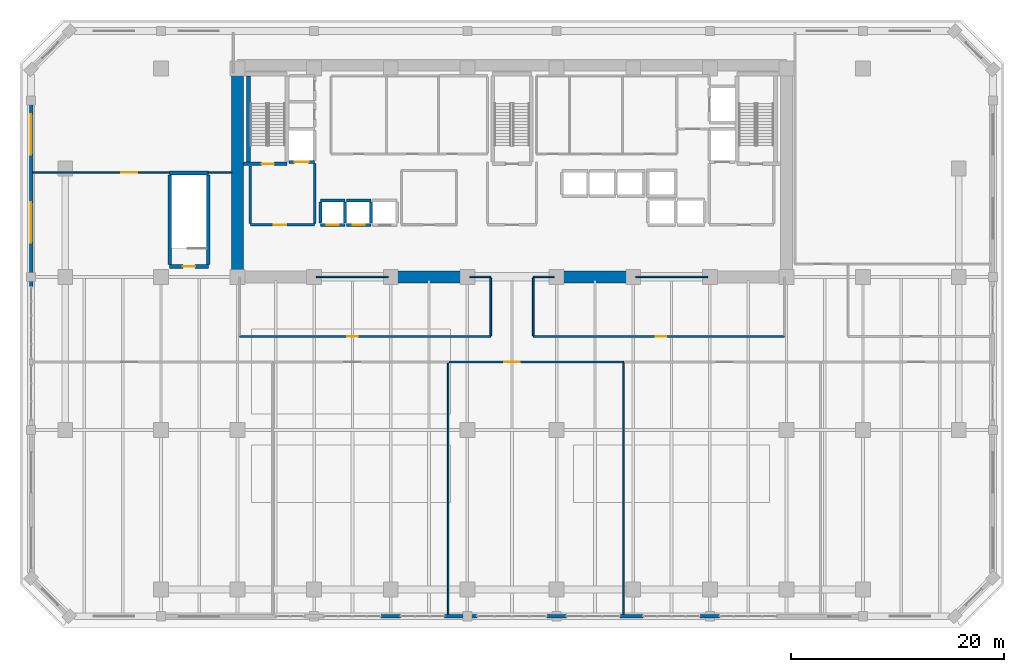
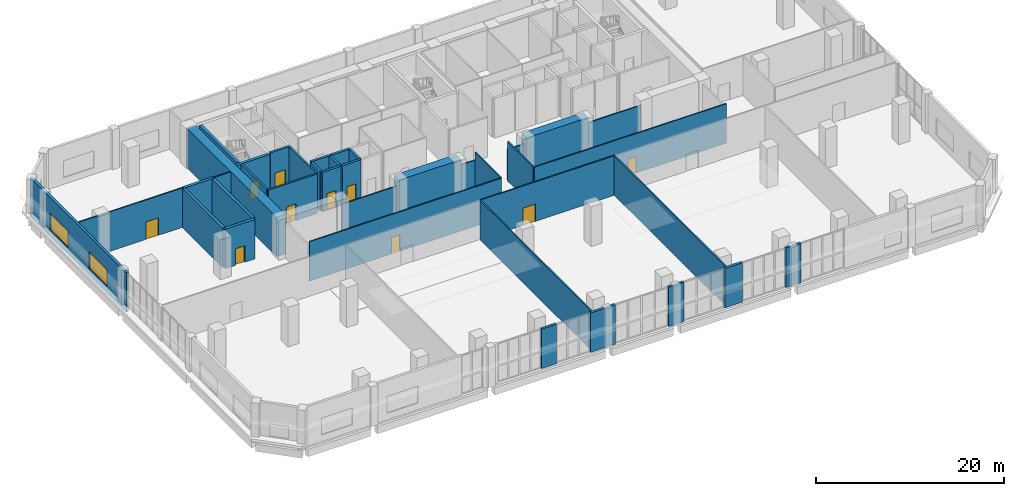
# One storey, part 18 of 25: 39 walls, 10 doors, 2 windows, 12 openings.
"""IFC4 building model written with IfcOpenShell, lengths in metres."""

from ifc_helpers import new_model, si_unit, direction, frame, frame_2d, origin, place, context, subcontext, project, spatial, rectangle, extrude, material, layer, layer_set, type_object, element, fill, save


model = new_model("IFC4")

# Units and contexts
model_context = context("Model", 3, precision=1e-05, world=origin(), true_north=direction((0.0, 1.0)))
body_context = subcontext(model_context, "Body", "Model", "MODEL_VIEW")
ifc_project = project(units=[si_unit("LENGTHUNIT", "METRE"), si_unit("AREAUNIT", "SQUARE_METRE"), si_unit("VOLUMEUNIT", "CUBIC_METRE"), si_unit("PLANEANGLEUNIT", "RADIAN"), si_unit("MASSUNIT", "GRAM", prefix="KILO")], contexts=[model_context])

# Site, building, storey
site_placement = place(None, origin())
site = spatial("IfcSite", under=ifc_project, at=site_placement, CompositionType="ELEMENT")
building_placement = place(site_placement, origin())
building = spatial("IfcBuilding", under=site, at=building_placement, Name="Kaelvorn Grand Hotel", CompositionType="ELEMENT")
storey_placement = place(building_placement, frame((0.0, 0.0, 26.0)))
storey = spatial("IfcBuildingStorey", under=building, at=storey_placement, Name="L04", CompositionType="ELEMENT", Elevation=26.0)

# Walls
ifc_material_1 = material(Name="Concrete C80/95", Category="concrete")
ifc_layer_1 = layer(ifc_material_1, 1.10009765625)
ifc_layer_set_1 = layer_set([ifc_layer_1], Name="Concrete C80/95")
wall_type_1 = type_object("IfcWallType", Name="WL-CORE-1100-C80", PredefinedType="SHEAR", material=ifc_layer_set_1)
wall_1_placement = place(storey_placement, frame((16.199951171875, 29.39990234375, 0.0), z_axis=(0.0, 0.0, 1.0), x_axis=(0.0, 1.0, 0.0)))
element("IfcWall", 1, at=wall_1_placement, inside=storey, type_object=wall_type_1, Name="L04 Rear-Core West Shear Wall", PredefinedType="SHEAR", context=body_context, shape_type="SweptSolid", body=[
    extrude(rectangle(XDim=19.2001953125, YDim=1.10009765625, at=frame_2d((9.60009765625, 0.0))), origin(), (0.0, 0.0, 1.0), 5.1201171875),
])
for number, where, z_axis, x_axis, name in (
    (2, (30.39990234375, 29.39990234375, 0.0), (0.0, 0.0, 1.0), (1.0, 0.0, 0.0), "L04 Rear-Core Coupled Shear Pier S2"),
    (3, (46.0, 29.39990234375, 0.0), (0.0, 0.0, 1.0), (1.0, 0.0, 0.0), "L04 Rear-Core Coupled Shear Pier S3"),
):
    element("IfcWall", number, at=place(storey_placement, frame(where, z_axis=z_axis, x_axis=x_axis)), inside=storey, type_object=wall_type_1, Name=name, PredefinedType="SHEAR", context=body_context, shape_type="SweptSolid", body=[
        extrude(rectangle(XDim=7.60009765625, YDim=1.10009765625, at=frame_2d((3.800048828125, 0.0))), origin(), (0.0, 0.0, 1.0), 5.1201171875),
    ])
ifc_material_2 = material(Name="Concrete C40/50", Category="concrete")
ifc_layer_2 = layer(ifc_material_2, 0.300048828125)
ifc_layer_set_2 = layer_set([ifc_layer_2], Name="Concrete C40/50")
wall_type_2 = type_object("IfcWallType", Name="WL-EXT-300-C40", PredefinedType="SOLIDWALL", material=ifc_layer_set_2)
wall_2_placement = place(storey_placement, frame((29.675048828125, -2.5, 0.0), z_axis=(0.0, 0.0, 1.0), x_axis=(1.0, 0.0, 0.0)))
element("IfcWall", 4, at=wall_2_placement, inside=storey, type_object=wall_type_2, Name="L04 Exterior Architectural Concrete Wall 01 Pier 3", PredefinedType="SOLIDWALL", context=body_context, shape_type="SweptSolid", body=[
    extrude(rectangle(XDim=1.849853515625, YDim=0.300048828125, at=frame_2d((0.9248046875, 0.0))), origin(), (0.0, 0.0, 1.0), 5.1201171875),
])
wall_3_placement = place(storey_placement, frame((35.675048828125, -2.5, 0.0), z_axis=(0.0, 0.0, 1.0), x_axis=(1.0, 0.0, 0.0)))
element("IfcWall", 5, at=wall_3_placement, inside=storey, type_object=wall_type_2, Name="L04 Exterior Architectural Concrete Wall 01 Pier 4", PredefinedType="SOLIDWALL", context=body_context, shape_type="SweptSolid", body=[
    extrude(rectangle(XDim=3.050048828125, YDim=0.300048828125, at=frame_2d((1.52490234375, 0.0))), origin(), (0.0, 0.0, 1.0), 5.1201171875),
])
wall_4_placement = place(storey_placement, frame((45.27490234375, -2.5, 0.0), z_axis=(0.0, 0.0, 1.0), x_axis=(1.0, 0.0, 0.0)))
element("IfcWall", 6, at=wall_4_placement, inside=storey, type_object=wall_type_2, Name="L04 Exterior Architectural Concrete Wall 01 Pier 5", PredefinedType="SOLIDWALL", context=body_context, shape_type="SweptSolid", body=[
    extrude(rectangle(XDim=1.85009765625, YDim=0.300048828125, at=frame_2d((0.925048828125, 0.0))), origin(), (0.0, 0.0, 1.0), 5.1201171875),
])
wall_5_placement = place(storey_placement, frame((52.175048828125, -2.5, 0.0), z_axis=(0.0, 0.0, 1.0), x_axis=(1.0, 0.0, 0.0)))
element("IfcWall", 7, at=wall_5_placement, inside=storey, type_object=wall_type_2, Name="L04 Exterior Architectural Concrete Wall 01 Pier 6", PredefinedType="SOLIDWALL", context=body_context, shape_type="SweptSolid", body=[
    extrude(rectangle(XDim=2.14990234375, YDim=0.300048828125, at=frame_2d((1.074951171875, 0.0))), origin(), (0.0, 0.0, 1.0), 5.1201171875),
])
wall_6_placement = place(storey_placement, frame((59.675048828125, -2.5, 0.0), z_axis=(0.0, 0.0, 1.0), x_axis=(1.0, 0.0, 0.0)))
element("IfcWall", 8, at=wall_6_placement, inside=storey, type_object=wall_type_2, Name="L04 Exterior Architectural Concrete Wall 01 Pier 7", PredefinedType="SOLIDWALL", context=body_context, shape_type="SweptSolid", body=[
    extrude(rectangle(XDim=1.849853515625, YDim=0.300048828125, at=frame_2d((0.9248046875, 0.0))), origin(), (0.0, 0.0, 1.0), 5.1201171875),
])

# Wall, openings, windows
wall_7_placement = place(storey_placement, frame((-3.199951171875, 48.89990234375, 0.0), z_axis=(0.0, 0.0, 1.0), x_axis=(0.0, -1.0, 0.0)))
wall_7 = element("IfcWall", 9, at=wall_7_placement, inside=storey, type_object=wall_type_2, Name="L04 Exterior Architectural Concrete Wall 07 Pier 1", PredefinedType="SOLIDWALL", context=body_context, shape_type="SweptSolid", body=[
    extrude(rectangle(XDim=20.4248046875, YDim=0.300048828125, at=frame_2d((10.21240234375, 0.0))), origin(), (0.0, 0.0, 1.0), 5.1201171875),
])
opening_1_placement = place(wall_7_placement, frame((12.5, 0.0, 0.85009765625)))
opening_1 = element("IfcOpeningElement", 10, at=opening_1_placement, cuts=wall_7, Name="Opening W9", PredefinedType="OPENING", context=body_context, shape_type="SweptSolid", body=[
    extrude(rectangle(XDim=3.800048828125, YDim=2.199951171875, at=frame_2d((1.89990234375, 1.10009765625))), frame((0.0, 0.16015625, 0.0), z_axis=(0.0, -1.0, 0.0), x_axis=(1.0, 0.0, 0.0)), (0.0, 0.0, 1.0), 0.320068359375),
])
opening_2_placement = place(wall_7_placement, frame((4.199951171875, 0.0, 0.85009765625)))
opening_2 = element("IfcOpeningElement", 11, at=opening_2_placement, cuts=wall_7, Name="Opening W9", PredefinedType="OPENING", context=body_context, shape_type="SweptSolid", body=[
    extrude(rectangle(XDim=3.800048828125, YDim=2.199951171875, at=frame_2d((1.89990234375, 1.10009765625))), frame((0.0, 0.16015625, 0.0), z_axis=(0.0, -1.0, 0.0), x_axis=(1.0, 0.0, 0.0)), (0.0, 0.0, 1.0), 0.320068359375),
])
ifc_material_3 = material(Name="Laminated Low-E Glass", Category="glass")
window_type = type_object("IfcWindowType", Name="WIN-POD-3800x2200", PartitioningType="SINGLE_PANEL", PredefinedType="WINDOW", material=ifc_material_3)
window_1_placement = place(opening_1_placement, origin())
window_1 = element("IfcWindow", 12, at=window_1_placement, inside=storey, type_object=window_type, Name="L04 Podium W Ribbon Window 1", OverallHeight=2.199951171875, OverallWidth=3.800048828125, PartitioningType="SINGLE_PANEL", PredefinedType="WINDOW", context=body_context, shape_type="SweptSolid", body=[
    extrude(rectangle(XDim=3.800048828125, YDim=2.199951171875, at=frame_2d((1.89990234375, 1.10009765625))), frame((0.0, 0.030029296875, 0.0), z_axis=(0.0, -1.0, 0.0), x_axis=(1.0, 0.0, 0.0)), (0.0, 0.0, 1.0), 0.06005859375),
])
fill(opening_1, window_1)
window_2_placement = place(opening_2_placement, origin())
window_2 = element("IfcWindow", 13, at=window_2_placement, inside=storey, type_object=window_type, Name="L04 Podium W Ribbon Window 2", OverallHeight=2.199951171875, OverallWidth=3.800048828125, PartitioningType="SINGLE_PANEL", PredefinedType="WINDOW", context=body_context, shape_type="SweptSolid", body=[
    extrude(rectangle(XDim=3.800048828125, YDim=2.199951171875, at=frame_2d((1.89990234375, 1.10009765625))), frame((0.0, 0.030029296875, 0.0), z_axis=(0.0, -1.0, 0.0), x_axis=(1.0, 0.0, 0.0)), (0.0, 0.0, 1.0), 0.06005859375),
])
fill(opening_2, window_2)

# Wall, opening, door
ifc_material_4 = material(Name="Acoustic Gypsum & Stud Partition")
ifc_layer_3 = layer(ifc_material_4, 0.14990234375)
ifc_layer_set_3 = layer_set([ifc_layer_3], Name="Acoustic Gypsum & Stud Partition")
wall_type_3 = type_object("IfcWallType", Name="WL-PART-150-EI60", PredefinedType="PARTITIONING", material=ifc_layer_set_3)
wall_8_placement = place(storey_placement, frame((-3.044921875, 39.199951171875, 0.0), z_axis=(0.0, 0.0, 1.0), x_axis=(1.0, 0.0, 0.0)))
wall_8 = element("IfcWall", 14, at=wall_8_placement, inside=storey, type_object=wall_type_3, Name="L04 L04 North-West Banquet Support & Admin Office S Partition (1)", PredefinedType="PARTITIONING", context=body_context, shape_type="SweptSolid", body=[
    extrude(rectangle(XDim=12.85986328125, YDim=0.14990234375, at=frame_2d((6.429931640625, 0.0))), origin(), (0.0, 0.0, 1.0), 5.1201171875),
])
opening_3_placement = place(wall_8_placement, frame((8.294921875, 0.0, 0.0)))
opening_3 = element("IfcOpeningElement", 15, at=opening_3_placement, cuts=wall_8, Name="Opening DI5", PredefinedType="OPENING", context=body_context, shape_type="SweptSolid", body=[
    extrude(rectangle(XDim=1.5, YDim=2.25, at=frame_2d((0.75, 1.125))), frame((0.0, 0.0849609375, 0.0), z_axis=(0.0, -1.0, 0.0), x_axis=(1.0, 0.0, 0.0)), (0.0, 0.0, 1.0), 0.169921875),
])
ifc_material_5 = material(Name="Timber Veneer Fire Leaf", Category="wood")
door_type_1 = type_object("IfcDoorType", Name="DR-INT-SALON-1500x2250", OperationType="DOUBLE_DOOR_SINGLE_SWING", PredefinedType="DOOR", material=ifc_material_5)
door_1_placement = place(opening_3_placement, origin())
door_1 = element("IfcDoor", 16, at=door_1_placement, inside=storey, type_object=door_type_1, Name="L04 L04 North-West Banquet Support & Admin Office Door", OperationType="DOUBLE_DOOR_SINGLE_SWING", OverallHeight=2.25, OverallWidth=1.5, PredefinedType="DOOR", context=body_context, shape_type="SweptSolid", body=[
    extrude(rectangle(XDim=1.5, YDim=2.25, at=frame_2d((0.75, 1.125))), frame((0.0, 0.02490234375, 0.0), z_axis=(0.0, -1.0, 0.0), x_axis=(1.0, 0.0, 0.0)), (0.0, 0.0, 1.0), 0.050048828125),
])
fill(opening_3, door_1)

# Walls
wall_9_placement = place(storey_placement, frame((13.465087890625, 39.199951171875, 0.0), z_axis=(0.0, 0.0, 1.0), x_axis=(1.0, 0.0, 0.0)))
element("IfcWall", 17, at=wall_9_placement, inside=storey, type_object=wall_type_3, Name="L04 L04 North-West Banquet Support & Admin Office S Partition (2)", PredefinedType="PARTITIONING", context=body_context, shape_type="SweptSolid", body=[
    extrude(rectangle(XDim=2.179931640625, YDim=0.14990234375, at=frame_2d((1.08984375, 0.0))), origin(), (0.0, 0.0, 1.0), 5.1201171875),
])
wall_10_placement = place(storey_placement, frame((36.0, -2.344970703125, 0.0), z_axis=(0.0, 0.0, 1.0), x_axis=(0.0, 1.0, 0.0)))
element("IfcWall", 18, at=wall_10_placement, inside=storey, type_object=wall_type_3, Name="L04 Conference Salon B E Partition", PredefinedType="PARTITIONING", context=body_context, shape_type="SweptSolid", body=[
    extrude(rectangle(XDim=23.6650390625, YDim=0.14990234375, at=frame_2d((11.83251953125, 0.0))), origin(), (0.0, 0.0, 1.0), 5.1201171875),
])

# Wall, opening, door
wall_11_placement = place(storey_placement, frame((36.080078125, 21.39990234375, 0.0), z_axis=(0.0, 0.0, 1.0), x_axis=(1.0, 0.0, 0.0)))
wall_11 = element("IfcWall", 19, at=wall_11_placement, inside=storey, type_object=wall_type_3, Name="L04 Executive Summit Boardroom N Partition", PredefinedType="PARTITIONING", context=body_context, shape_type="SweptSolid", body=[
    extrude(rectangle(XDim=16.419921875, YDim=0.14990234375, at=frame_2d((8.2099609375, 0.0))), origin(), (0.0, 0.0, 1.0), 5.1201171875),
])
opening_4_placement = place(wall_11_placement, frame((5.169921875, 0.0, 0.0)))
opening_4 = element("IfcOpeningElement", 20, at=opening_4_placement, cuts=wall_11, Name="Opening DI5", PredefinedType="OPENING", context=body_context, shape_type="SweptSolid", body=[
    extrude(rectangle(XDim=1.5, YDim=2.25, at=frame_2d((0.75, 1.125))), frame((0.0, 0.0849609375, 0.0), z_axis=(0.0, -1.0, 0.0), x_axis=(1.0, 0.0, 0.0)), (0.0, 0.0, 1.0), 0.169921875),
])
door_2_placement = place(opening_4_placement, origin())
door_2 = element("IfcDoor", 21, at=door_2_placement, inside=storey, type_object=door_type_1, Name="L04 Executive Summit Boardroom Door", OperationType="DOUBLE_DOOR_SINGLE_SWING", OverallHeight=2.25, OverallWidth=1.5, PredefinedType="DOOR", context=body_context, shape_type="SweptSolid", body=[
    extrude(rectangle(XDim=1.5, YDim=2.25, at=frame_2d((0.75, 1.125))), frame((0.0, 0.02490234375, 0.0), z_axis=(0.0, -1.0, 0.0), x_axis=(1.0, 0.0, 0.0)), (0.0, 0.0, 1.0), 0.050048828125),
])
fill(opening_4, door_2)

# Wall
wall_12_placement = place(storey_placement, frame((52.5, -2.344970703125, 0.0), z_axis=(0.0, 0.0, 1.0), x_axis=(0.0, 1.0, 0.0)))
element("IfcWall", 22, at=wall_12_placement, inside=storey, type_object=wall_type_3, Name="L04 Executive Summit Boardroom E Partition", PredefinedType="PARTITIONING", context=body_context, shape_type="SweptSolid", body=[
    extrude(rectangle(XDim=23.6650390625, YDim=0.14990234375, at=frame_2d((11.83251953125, 0.0))), origin(), (0.0, 0.0, 1.0), 5.1201171875),
])

# Wall, opening, door
wall_13_placement = place(storey_placement, frame((16.39990234375, 23.800048828125, 0.0), z_axis=(0.0, 0.0, 1.0), x_axis=(1.0, 0.0, 0.0)))
wall_13 = element("IfcWall", 23, at=wall_13_placement, inside=storey, type_object=wall_type_3, Name="L04 Hydrotherapy & Sauna Lounge S Partition", PredefinedType="PARTITIONING", context=body_context, shape_type="SweptSolid", body=[
    extrude(rectangle(XDim=23.60009765625, YDim=0.14990234375, at=frame_2d((11.800048828125, 0.0))), origin(), (0.0, 0.0, 1.0), 5.1201171875),
])
opening_5_placement = place(wall_13_placement, frame((10.10009765625, 0.0, 0.0)))
opening_5 = element("IfcOpeningElement", 24, at=opening_5_placement, cuts=wall_13, Name="Opening DI3", PredefinedType="OPENING", context=body_context, shape_type="SweptSolid", body=[
    extrude(rectangle(XDim=1.0, YDim=2.14990234375, at=frame_2d((0.5, 1.074951171875))), frame((0.0, 0.0849609375, 0.0), z_axis=(0.0, -1.0, 0.0), x_axis=(1.0, 0.0, 0.0)), (0.0, 0.0, 1.0), 0.169921875),
])
door_type_2 = type_object("IfcDoorType", Name="DR-INT-GUEST-1000x2150", OperationType="NOTDEFINED", PredefinedType="DOOR", material=ifc_material_5)
door_3_placement = place(opening_5_placement, origin())
door_3 = element("IfcDoor", 25, at=door_3_placement, inside=storey, type_object=door_type_2, Name="L04 Hydrotherapy & Sauna Lounge Door", OperationType="SINGLE_SWING_LEFT", OverallHeight=2.14990234375, OverallWidth=1.0, PredefinedType="DOOR", context=body_context, shape_type="SweptSolid", body=[
    extrude(rectangle(XDim=1.0, YDim=2.14990234375, at=frame_2d((0.5, 1.074951171875))), frame((0.0, 0.02490234375, 0.0), z_axis=(0.0, -1.0, 0.0), x_axis=(1.0, 0.0, 0.0)), (0.0, 0.0, 1.0), 0.050048828125),
])
fill(opening_5, door_3)

# Walls
wall_14_placement = place(storey_placement, frame((23.610107421875, 29.39990234375, 0.0), z_axis=(0.0, 0.0, 1.0), x_axis=(1.0, 0.0, 0.0)))
element("IfcWall", 26, at=wall_14_placement, inside=storey, type_object=wall_type_3, Name="L04 Hydrotherapy & Sauna Lounge N Partition (1)", PredefinedType="PARTITIONING", context=body_context, shape_type="SweptSolid", body=[
    extrude(rectangle(XDim=6.77978515625, YDim=0.14990234375, at=frame_2d((3.389892578125, 0.0))), origin(), (0.0, 0.0, 1.0), 4.06005859375),
])
wall_15_placement = place(storey_placement, frame((38.010009765625, 29.39990234375, 0.0), z_axis=(0.0, 0.0, 1.0), x_axis=(1.0, 0.0, 0.0)))
element("IfcWall", 27, at=wall_15_placement, inside=storey, type_object=wall_type_3, Name="L04 Hydrotherapy & Sauna Lounge N Partition (2)", PredefinedType="PARTITIONING", context=body_context, shape_type="SweptSolid", body=[
    extrude(rectangle(XDim=1.989990234375, YDim=0.14990234375, at=frame_2d((0.9951171875, 0.0))), origin(), (0.0, 0.0, 1.0), 4.06005859375),
])
wall_16_placement = place(storey_placement, frame((40.0, 23.8798828125, 0.0), z_axis=(0.0, 0.0, 1.0), x_axis=(0.0, 1.0, 0.0)))
element("IfcWall", 28, at=wall_16_placement, inside=storey, type_object=wall_type_3, Name="L04 Hydrotherapy & Sauna Lounge E Partition", PredefinedType="PARTITIONING", context=body_context, shape_type="SweptSolid", body=[
    extrude(rectangle(XDim=5.440185546875, YDim=0.14990234375, at=frame_2d((2.72021484375, 0.0))), origin(), (0.0, 0.0, 1.0), 5.1201171875),
])

# Wall, opening, door
wall_17_placement = place(storey_placement, frame((44.0, 23.800048828125, 0.0), z_axis=(0.0, 0.0, 1.0), x_axis=(1.0, 0.0, 0.0)))
wall_17 = element("IfcWall", 29, at=wall_17_placement, inside=storey, type_object=wall_type_3, Name="L04 Business Secretariat & Press Centre S Partition", PredefinedType="PARTITIONING", context=body_context, shape_type="SweptSolid", body=[
    extrude(rectangle(XDim=23.60009765625, YDim=0.14990234375, at=frame_2d((11.800048828125, 0.0))), origin(), (0.0, 0.0, 1.0), 5.1201171875),
])
opening_6_placement = place(wall_17_placement, frame((11.5, 0.0, 0.0)))
opening_6 = element("IfcOpeningElement", 30, at=opening_6_placement, cuts=wall_17, Name="Opening DI3", PredefinedType="OPENING", context=body_context, shape_type="SweptSolid", body=[
    extrude(rectangle(XDim=1.0, YDim=2.14990234375, at=frame_2d((0.5, 1.074951171875))), frame((0.0, 0.0849609375, 0.0), z_axis=(0.0, -1.0, 0.0), x_axis=(1.0, 0.0, 0.0)), (0.0, 0.0, 1.0), 0.169921875),
])
door_4_placement = place(opening_6_placement, origin())
door_4 = element("IfcDoor", 31, at=door_4_placement, inside=storey, type_object=door_type_2, Name="L04 Business Secretariat & Press Centre Door", OperationType="SINGLE_SWING_RIGHT", OverallHeight=2.14990234375, OverallWidth=1.0, PredefinedType="DOOR", context=body_context, shape_type="SweptSolid", body=[
    extrude(rectangle(XDim=1.0, YDim=2.14990234375, at=frame_2d((0.5, 1.074951171875))), frame((0.0, 0.02490234375, 0.0), z_axis=(0.0, -1.0, 0.0), x_axis=(1.0, 0.0, 0.0)), (0.0, 0.0, 1.0), 0.050048828125),
])
fill(opening_6, door_4)

# Walls
wall_18_placement = place(storey_placement, frame((44.0, 29.39990234375, 0.0), z_axis=(0.0, 0.0, 1.0), x_axis=(1.0, 0.0, 0.0)))
element("IfcWall", 32, at=wall_18_placement, inside=storey, type_object=wall_type_3, Name="L04 Business Secretariat & Press Centre N Partition (1)", PredefinedType="PARTITIONING", context=body_context, shape_type="SweptSolid", body=[
    extrude(rectangle(XDim=1.989990234375, YDim=0.14990234375, at=frame_2d((0.9951171875, 0.0))), origin(), (0.0, 0.0, 1.0), 4.06005859375),
])
wall_19_placement = place(storey_placement, frame((53.610107421875, 29.39990234375, 0.0), z_axis=(0.0, 0.0, 1.0), x_axis=(1.0, 0.0, 0.0)))
element("IfcWall", 33, at=wall_19_placement, inside=storey, type_object=wall_type_3, Name="L04 Business Secretariat & Press Centre N Partition (2)", PredefinedType="PARTITIONING", context=body_context, shape_type="SweptSolid", body=[
    extrude(rectangle(XDim=6.77978515625, YDim=0.14990234375, at=frame_2d((3.389892578125, 0.0))), origin(), (0.0, 0.0, 1.0), 4.06005859375),
])
wall_20_placement = place(storey_placement, frame((44.0, 23.8798828125, 0.0), z_axis=(0.0, 0.0, 1.0), x_axis=(0.0, 1.0, 0.0)))
element("IfcWall", 34, at=wall_20_placement, inside=storey, type_object=wall_type_3, Name="L04 Business Secretariat & Press Centre W Partition", PredefinedType="PARTITIONING", context=body_context, shape_type="SweptSolid", body=[
    extrude(rectangle(XDim=5.440185546875, YDim=0.14990234375, at=frame_2d((2.72021484375, 0.0))), origin(), (0.0, 0.0, 1.0), 5.1201171875),
])

# Wall, opening, door
ifc_layer_4 = layer(ifc_material_2, 0.219970703125)
ifc_layer_set_4 = layer_set([ifc_layer_4], Name="Concrete C40/50")
wall_type_4 = type_object("IfcWallType", Name="WL-PART-220-EI120", PredefinedType="PARTITIONING", material=ifc_layer_set_4)
wall_21_placement = place(storey_placement, frame((17.39990234375, 34.300048828125, 0.0), z_axis=(0.0, 0.0, 1.0), x_axis=(1.0, 0.0, 0.0)))
wall_21 = element("IfcWall", 35, at=wall_21_placement, inside=storey, type_object=wall_type_4, Name="L04 Firefighting Lift Lobby 1 S Partition", PredefinedType="PARTITIONING", context=body_context, shape_type="SweptSolid", body=[
    extrude(rectangle(XDim=6.050048828125, YDim=0.219970703125, at=frame_2d((3.02490234375, 0.0))), origin(), (0.0, 0.0, 1.0), 5.1201171875),
])
opening_7_placement = place(wall_21_placement, frame((2.199951171875, 0.0, 0.0)))
opening_7 = element("IfcOpeningElement", 36, at=opening_7_placement, cuts=wall_21, Name="Opening DI2", PredefinedType="OPENING", context=body_context, shape_type="SweptSolid", body=[
    extrude(rectangle(XDim=1.199951171875, YDim=2.14990234375, at=frame_2d((0.60009765625, 1.074951171875))), frame((0.0, 0.1201171875, 0.0), z_axis=(0.0, -1.0, 0.0), x_axis=(1.0, 0.0, 0.0)), (0.0, 0.0, 1.0), 0.239990234375),
])
door_type_3 = type_object("IfcDoorType", Name="DR-INT-FFLOB-1200x2150", OperationType="NOTDEFINED", PredefinedType="DOOR", material=ifc_material_5)
door_5_placement = place(opening_7_placement, origin())
door_5 = element("IfcDoor", 37, at=door_5_placement, inside=storey, type_object=door_type_3, Name="L04 Firefighting Lift Lobby 1 Door", OperationType="SINGLE_SWING_LEFT", OverallHeight=2.14990234375, OverallWidth=1.199951171875, PredefinedType="DOOR", context=body_context, shape_type="SweptSolid", body=[
    extrude(rectangle(XDim=1.199951171875, YDim=2.14990234375, at=frame_2d((0.60009765625, 1.074951171875))), frame((0.0, 0.02490234375, 0.0), z_axis=(0.0, -1.0, 0.0), x_axis=(1.0, 0.0, 0.0)), (0.0, 0.0, 1.0), 0.050048828125),
])
fill(opening_7, door_5)

# Walls
wall_22_placement = place(storey_placement, frame((17.39990234375, 34.4150390625, 0.0), z_axis=(0.0, 0.0, 1.0), x_axis=(0.0, 1.0, 0.0)))
element("IfcWall", 38, at=wall_22_placement, inside=storey, type_object=wall_type_4, Name="L04 Firefighting Lift Lobby 1 W Partition", PredefinedType="PARTITIONING", context=body_context, shape_type="SweptSolid", body=[
    extrude(rectangle(XDim=5.429931640625, YDim=0.219970703125, at=frame_2d((2.71484375, 0.0))), origin(), (0.0, 0.0, 1.0), 5.1201171875),
])
wall_23_placement = place(storey_placement, frame((23.449951171875, 34.4150390625, 0.0), z_axis=(0.0, 0.0, 1.0), x_axis=(0.0, 1.0, 0.0)))
element("IfcWall", 39, at=wall_23_placement, inside=storey, type_object=wall_type_4, Name="L04 Firefighting Lift Lobby 1 E Partition", PredefinedType="PARTITIONING", context=body_context, shape_type="SweptSolid", body=[
    extrude(rectangle(XDim=5.639892578125, YDim=0.219970703125, at=frame_2d((2.81982421875, 0.0))), origin(), (0.0, 0.0, 1.0), 5.1201171875),
])

# Wall, opening, door
ifc_material_6 = material(Name="Concrete C50/60", Category="concrete")
ifc_layer_5 = layer(ifc_material_6, 0.280029296875)
ifc_layer_set_5 = layer_set([ifc_layer_5], Name="Concrete C50/60")
wall_type_5 = type_object("IfcWallType", Name="WL-SHAFT-280-C50", PredefinedType="SHEAR", material=ifc_layer_set_5)
wall_24_placement = place(storey_placement, frame((24.0, 34.300048828125, 0.0), z_axis=(0.0, 0.0, 1.0), x_axis=(1.0, 0.0, 0.0)))
wall_24 = element("IfcWall", 40, at=wall_24_placement, inside=storey, type_object=wall_type_5, Name="L04 Lift PL-L1 Shaft South Wall", PredefinedType="SHEAR", context=body_context, shape_type="SweptSolid", body=[
    extrude(rectangle(XDim=2.300048828125, YDim=0.280029296875, at=frame_2d((1.14990234375, 0.0))), origin(), (0.0, 0.0, 1.0), 5.1201171875),
])
opening_8_placement = place(wall_24_placement, frame((0.60009765625, 0.0, 0.0)))
opening_8 = element("IfcOpeningElement", 41, at=opening_8_placement, cuts=wall_24, Name="Opening LD-PL-L1", PredefinedType="OPENING", context=body_context, shape_type="SweptSolid", body=[
    extrude(rectangle(XDim=1.10009765625, YDim=2.199951171875, at=frame_2d((0.550048828125, 1.10009765625))), frame((0.0, 0.14990234375, 0.0), z_axis=(0.0, -1.0, 0.0), x_axis=(1.0, 0.0, 0.0)), (0.0, 0.0, 1.0), 0.300048828125),
])
ifc_material_7 = material(Name="Stainless Steel", Category="steel")
door_type_4 = type_object("IfcDoorType", Name="DR-LIFT-PASS-1100x2200", OperationType="DOUBLE_DOOR_SLIDING", PredefinedType="DOOR", material=ifc_material_7)
door_6_placement = place(opening_8_placement, origin())
door_6 = element("IfcDoor", 42, at=door_6_placement, inside=storey, type_object=door_type_4, Name="L04 Lift PL-L1 Sliding Landing Door LD-PL-L1", OperationType="DOUBLE_DOOR_SLIDING", OverallHeight=2.199951171875, OverallWidth=1.10009765625, PredefinedType="DOOR", context=body_context, shape_type="SweptSolid", body=[
    extrude(rectangle(XDim=1.10009765625, YDim=2.199951171875, at=frame_2d((0.550048828125, 1.10009765625))), frame((0.0, 0.02490234375, 0.0), z_axis=(0.0, -1.0, 0.0), x_axis=(1.0, 0.0, 0.0)), (0.0, 0.0, 1.0), 0.050048828125),
])
fill(opening_8, door_6)

# Walls
wall_25_placement = place(storey_placement, frame((24.0, 36.60009765625, 0.0), z_axis=(0.0, 0.0, 1.0), x_axis=(1.0, 0.0, 0.0)))
element("IfcWall", 43, at=wall_25_placement, inside=storey, type_object=wall_type_5, Name="L04 Lift PL-L1 Shaft North Wall", PredefinedType="SHEAR", context=body_context, shape_type="SweptSolid", body=[
    extrude(rectangle(XDim=2.300048828125, YDim=0.280029296875, at=frame_2d((1.14990234375, 0.0))), origin(), (0.0, 0.0, 1.0), 5.1201171875),
])
for number, where, z_axis, x_axis, name in (
    (44, (24.0, 34.445068359375, 0.0), (0.0, 0.0, 1.0), (0.0, 1.0, 0.0), "L04 Lift PL-L1 Shaft West Wall"),
    (45, (26.300048828125, 34.445068359375, 0.0), (0.0, 0.0, 1.0), (0.0, 1.0, 0.0), "L04 Lift PL-L1 Shaft East Wall"),
):
    element("IfcWall", number, at=place(storey_placement, frame(where, z_axis=z_axis, x_axis=x_axis)), inside=storey, type_object=wall_type_5, Name=name, PredefinedType="SHEAR", context=body_context, shape_type="SweptSolid", body=[
        extrude(rectangle(XDim=2.010009765625, YDim=0.280029296875, at=frame_2d((1.0048828125, 0.0))), origin(), (0.0, 0.0, 1.0), 5.1201171875),
    ])

# Wall, opening, door
wall_26_placement = place(storey_placement, frame((26.449951171875, 34.300048828125, 0.0), z_axis=(0.0, 0.0, 1.0), x_axis=(1.0, 0.0, 0.0)))
wall_26 = element("IfcWall", 46, at=wall_26_placement, inside=storey, type_object=wall_type_5, Name="L04 Lift PL-L2 Shaft South Wall", PredefinedType="SHEAR", context=body_context, shape_type="SweptSolid", body=[
    extrude(rectangle(XDim=2.300048828125, YDim=0.280029296875, at=frame_2d((1.14990234375, 0.0))), origin(), (0.0, 0.0, 1.0), 5.1201171875),
])
opening_9_placement = place(wall_26_placement, frame((0.60009765625, 0.0, 0.0)))
opening_9 = element("IfcOpeningElement", 47, at=opening_9_placement, cuts=wall_26, Name="Opening LD-PL-L2", PredefinedType="OPENING", context=body_context, shape_type="SweptSolid", body=[
    extrude(rectangle(XDim=1.10009765625, YDim=2.199951171875, at=frame_2d((0.550048828125, 1.10009765625))), frame((0.0, 0.14990234375, 0.0), z_axis=(0.0, -1.0, 0.0), x_axis=(1.0, 0.0, 0.0)), (0.0, 0.0, 1.0), 0.300048828125),
])
door_7_placement = place(opening_9_placement, origin())
door_7 = element("IfcDoor", 48, at=door_7_placement, inside=storey, type_object=door_type_4, Name="L04 Lift PL-L2 Sliding Landing Door LD-PL-L2", OperationType="DOUBLE_DOOR_SLIDING", OverallHeight=2.199951171875, OverallWidth=1.10009765625, PredefinedType="DOOR", context=body_context, shape_type="SweptSolid", body=[
    extrude(rectangle(XDim=1.10009765625, YDim=2.199951171875, at=frame_2d((0.550048828125, 1.10009765625))), frame((0.0, 0.02490234375, 0.0), z_axis=(0.0, -1.0, 0.0), x_axis=(1.0, 0.0, 0.0)), (0.0, 0.0, 1.0), 0.050048828125),
])
fill(opening_9, door_7)

# Walls
wall_27_placement = place(storey_placement, frame((26.449951171875, 36.60009765625, 0.0), z_axis=(0.0, 0.0, 1.0), x_axis=(1.0, 0.0, 0.0)))
element("IfcWall", 49, at=wall_27_placement, inside=storey, type_object=wall_type_5, Name="L04 Lift PL-L2 Shaft North Wall", PredefinedType="SHEAR", context=body_context, shape_type="SweptSolid", body=[
    extrude(rectangle(XDim=2.300048828125, YDim=0.280029296875, at=frame_2d((1.14990234375, 0.0))), origin(), (0.0, 0.0, 1.0), 5.1201171875),
])
wall_28_placement = place(storey_placement, frame((28.75, 34.445068359375, 0.0), z_axis=(0.0, 0.0, 1.0), x_axis=(0.0, 1.0, 0.0)))
element("IfcWall", 50, at=wall_28_placement, inside=storey, type_object=wall_type_5, Name="L04 Lift PL-L2 Shaft East Wall", PredefinedType="SHEAR", context=body_context, shape_type="SweptSolid", body=[
    extrude(rectangle(XDim=2.010009765625, YDim=0.280029296875, at=frame_2d((1.0048828125, 0.0))), origin(), (0.0, 0.0, 1.0), 5.1201171875),
])

# Wall, opening, door
wall_29_placement = place(storey_placement, frame((21.034912109375, 40.199951171875, 0.0), z_axis=(0.0, 0.0, 1.0), x_axis=(1.0, 0.0, 0.0)))
wall_29 = element("IfcWall", 51, at=wall_29_placement, inside=storey, type_object=wall_type_5, Name="L04 Lift FFL1 Shaft South Wall", PredefinedType="SHEAR", context=body_context, shape_type="SweptSolid", body=[
    extrude(rectangle(XDim=2.4150390625, YDim=0.280029296875, at=frame_2d((1.20751953125, 0.0))), origin(), (0.0, 0.0, 1.0), 5.1201171875),
])
opening_10_placement = place(wall_29_placement, frame((0.5400390625, 0.0, 0.0)))
opening_10 = element("IfcOpeningElement", 52, at=opening_10_placement, cuts=wall_29, Name="Opening LD-FFL1", PredefinedType="OPENING", context=body_context, shape_type="SweptSolid", body=[
    extrude(rectangle(XDim=1.300048828125, YDim=2.300048828125, at=frame_2d((0.64990234375, 1.14990234375))), frame((0.0, 0.14990234375, 0.0), z_axis=(0.0, -1.0, 0.0), x_axis=(1.0, 0.0, 0.0)), (0.0, 0.0, 1.0), 0.300048828125),
])
door_type_5 = type_object("IfcDoorType", Name="DR-LIFT-SERV-1300x2300", OperationType="DOUBLE_DOOR_SLIDING", PredefinedType="DOOR", material=ifc_material_7)
door_8_placement = place(opening_10_placement, origin())
door_8 = element("IfcDoor", 53, at=door_8_placement, inside=storey, type_object=door_type_5, Name="L04 Lift FFL1 Sliding Landing Door LD-FFL1", OperationType="DOUBLE_DOOR_SLIDING", OverallHeight=2.300048828125, OverallWidth=1.300048828125, PredefinedType="DOOR", context=body_context, shape_type="SweptSolid", body=[
    extrude(rectangle(XDim=1.300048828125, YDim=2.300048828125, at=frame_2d((0.64990234375, 1.14990234375))), frame((0.0, 0.02490234375, 0.0), z_axis=(0.0, -1.0, 0.0), x_axis=(1.0, 0.0, 0.0)), (0.0, 0.0, 1.0), 0.050048828125),
])
fill(opening_10, door_8)

ifc_material_8 = material(Name="Concrete C60/75", Category="concrete")
ifc_layer_6 = layer(ifc_material_8, 0.35009765625)
ifc_layer_set_6 = layer_set([ifc_layer_6], Name="Concrete C60/75")
wall_type_6 = type_object("IfcWallType", Name="WL-SHAFT-350-C60", PredefinedType="SHEAR", material=ifc_layer_set_6)
wall_30_placement = place(storey_placement, frame((16.7548828125, 40.02490234375, 0.0), z_axis=(0.0, 0.0, 1.0), x_axis=(1.0, 0.0, 0.0)))
wall_30 = element("IfcWall", 54, at=wall_30_placement, inside=storey, type_object=wall_type_6, Name="L04 ST1 Stair Shaft South Wall", PredefinedType="SHEAR", context=body_context, shape_type="SweptSolid", body=[
    extrude(rectangle(XDim=4.10009765625, YDim=0.35009765625, at=frame_2d((2.050048828125, 0.0))), origin(), (0.0, 0.0, 1.0), 5.1201171875),
])
opening_11_placement = place(wall_30_placement, frame((1.7099609375, 0.0, 0.0)))
opening_11 = element("IfcOpeningElement", 55, at=opening_11_placement, cuts=wall_30, Name="Opening DI1", PredefinedType="OPENING", context=body_context, shape_type="SweptSolid", body=[
    extrude(rectangle(XDim=1.14990234375, YDim=2.14990234375, at=frame_2d((0.574951171875, 1.074951171875))), frame((0.0, 0.18505859375, 0.0), z_axis=(0.0, -1.0, 0.0), x_axis=(1.0, 0.0, 0.0)), (0.0, 0.0, 1.0), 0.3701171875),
])
door_type_6 = type_object("IfcDoorType", Name="DR-INT-STAIR-1150x2150", OperationType="NOTDEFINED", PredefinedType="DOOR", material=ifc_material_5)
door_9_placement = place(opening_11_placement, origin())
door_9 = element("IfcDoor", 56, at=door_9_placement, inside=storey, type_object=door_type_6, Name="L04 ST1 Exit Stair Fire Door", OperationType="SINGLE_SWING_LEFT", OverallHeight=2.14990234375, OverallWidth=1.14990234375, PredefinedType="DOOR", context=body_context, shape_type="SweptSolid", body=[
    extrude(rectangle(XDim=1.14990234375, YDim=2.14990234375, at=frame_2d((0.574951171875, 1.074951171875))), frame((0.0, 0.02490234375, 0.0), z_axis=(0.0, -1.0, 0.0), x_axis=(1.0, 0.0, 0.0)), (0.0, 0.0, 1.0), 0.050048828125),
])
fill(opening_11, door_9)

# Wall
wall_31_placement = place(storey_placement, frame((17.22509765625, 40.205078125, 0.0), z_axis=(0.0, 0.0, 1.0), x_axis=(0.0, 1.0, 0.0)))
element("IfcWall", 57, at=wall_31_placement, inside=storey, type_object=wall_type_6, Name="L04 ST1 Stair Shaft West Wall", PredefinedType="SHEAR", context=body_context, shape_type="SweptSolid", body=[
    extrude(rectangle(XDim=8.08984375, YDim=0.35009765625, at=frame_2d((4.044921875, 0.0))), origin(), (0.0, 0.0, 1.0), 5.1201171875),
])

# Wall, opening, door
wall_32_placement = place(storey_placement, frame((9.824951171875, 30.375, 0.0), z_axis=(0.0, 0.0, 1.0), x_axis=(1.0, 0.0, 0.0)))
wall_32 = element("IfcWall", 58, at=wall_32_placement, inside=storey, type_object=wall_type_6, Name="L04 ST4 Stair Shaft South Wall", PredefinedType="SHEAR", context=body_context, shape_type="SweptSolid", body=[
    extrude(rectangle(XDim=3.630126953125, YDim=0.35009765625, at=frame_2d((1.81494140625, 0.0))), origin(), (0.0, 0.0, 1.0), 5.1201171875),
])
opening_12_placement = place(wall_32_placement, frame((1.239990234375, 0.0, 0.0)))
opening_12 = element("IfcOpeningElement", 59, at=opening_12_placement, cuts=wall_32, Name="Opening DI1", PredefinedType="OPENING", context=body_context, shape_type="SweptSolid", body=[
    extrude(rectangle(XDim=1.14990234375, YDim=2.14990234375, at=frame_2d((0.574951171875, 1.074951171875))), frame((0.0, 0.18505859375, 0.0), z_axis=(0.0, -1.0, 0.0), x_axis=(1.0, 0.0, 0.0)), (0.0, 0.0, 1.0), 0.3701171875),
])
door_10_placement = place(opening_12_placement, origin())
door_10 = element("IfcDoor", 60, at=door_10_placement, inside=storey, type_object=door_type_6, Name="L04 ST4 Exit Stair Fire Door", OperationType="SINGLE_SWING_RIGHT", OverallHeight=2.14990234375, OverallWidth=1.14990234375, PredefinedType="DOOR", context=body_context, shape_type="SweptSolid", body=[
    extrude(rectangle(XDim=1.14990234375, YDim=2.14990234375, at=frame_2d((0.574951171875, 1.074951171875))), frame((0.0, 0.02490234375, 0.0), z_axis=(0.0, -1.0, 0.0), x_axis=(1.0, 0.0, 0.0)), (0.0, 0.0, 1.0), 0.050048828125),
])
fill(opening_12, door_10)

# Walls
wall_33_placement = place(storey_placement, frame((9.824951171875, 39.175048828125, 0.0), z_axis=(0.0, 0.0, 1.0), x_axis=(1.0, 0.0, 0.0)))
element("IfcWall", 61, at=wall_33_placement, inside=storey, type_object=wall_type_6, Name="L04 ST4 Stair Shaft North Wall", PredefinedType="SHEAR", context=body_context, shape_type="SweptSolid", body=[
    extrude(rectangle(XDim=3.630126953125, YDim=0.35009765625, at=frame_2d((1.81494140625, 0.0))), origin(), (0.0, 0.0, 1.0), 5.1201171875),
])
for number, where, z_axis, x_axis, name in (
    (62, (9.824951171875, 30.554931640625, 0.0), (0.0, 0.0, 1.0), (0.0, 1.0, 0.0), "L04 ST4 Stair Shaft West Wall"),
    (63, (13.455078125, 30.554931640625, 0.0), (0.0, 0.0, 1.0), (0.0, 1.0, 0.0), "L04 ST4 Stair Shaft East Wall"),
):
    element("IfcWall", number, at=place(storey_placement, frame(where, z_axis=z_axis, x_axis=x_axis)), inside=storey, type_object=wall_type_6, Name=name, PredefinedType="SHEAR", context=body_context, shape_type="SweptSolid", body=[
        extrude(rectangle(XDim=8.440185546875, YDim=0.35009765625, at=frame_2d((4.22021484375, 0.0))), origin(), (0.0, 0.0, 1.0), 5.1201171875),
    ])

save(model, "model.ifc")
